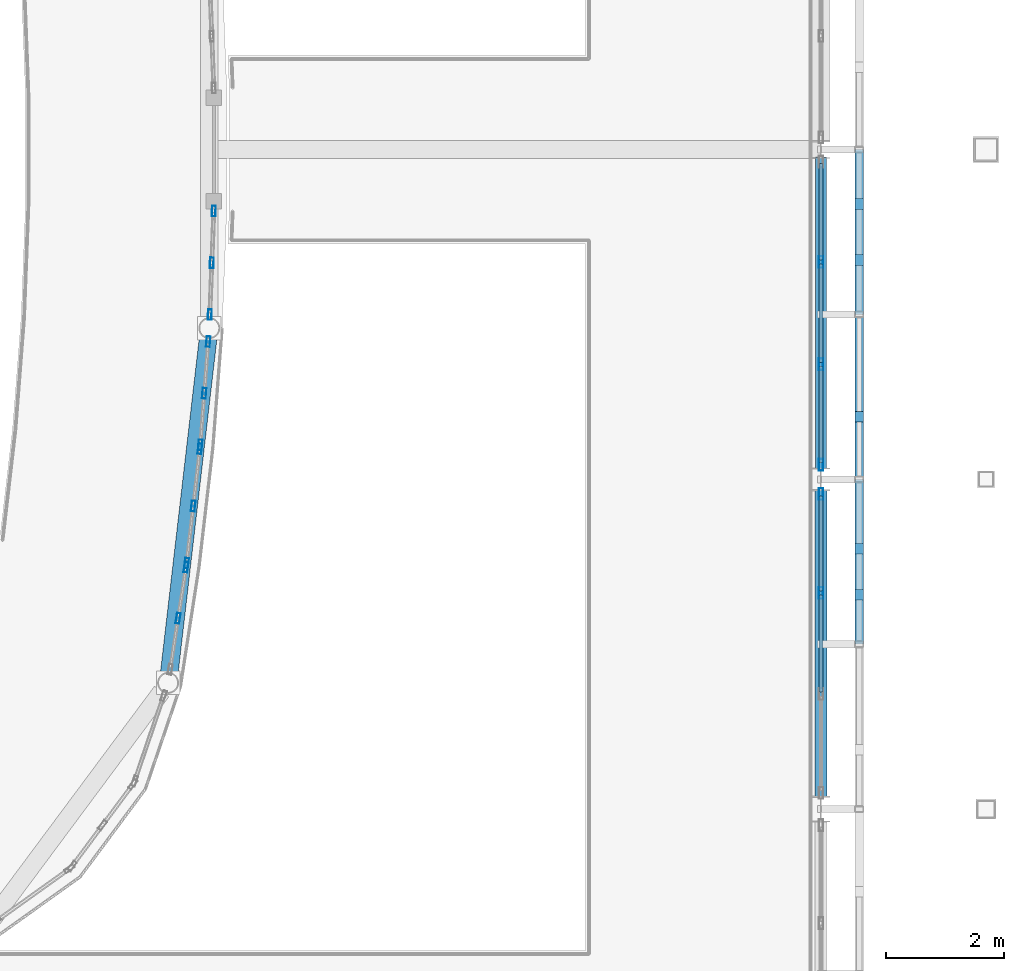
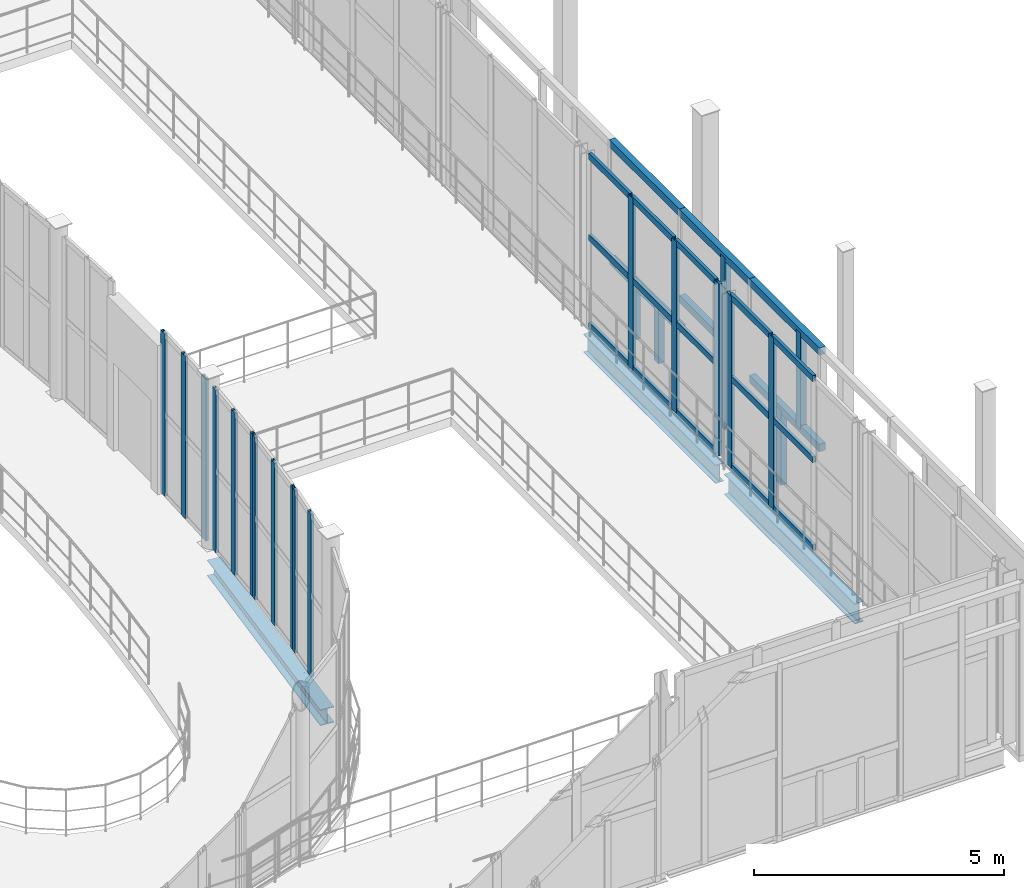
# One storey, part 43 of 138: 42 members, 3 beams, 6 elements without a shape of their own.
"""IFC4 building model written with IfcOpenShell, lengths in metres."""

import ifcopenshell
import ifcopenshell.guid

model = None  # the IFC model being written
_history = None  # IfcOwnerHistory: only IFC2X3 demands one
_inside = {}  # id of a spatial element -> (the spatial element, [elements in it])
_under = {}  # id of a project, library or spatial element -> (it, [spatial elements below it])
_declared = {}  # id of a project -> (the project, [libraries it declares])
_typed = {}  # id of a type object -> (the type object, [elements of that type])
_made_of = {}  # id of a material, layer set ... -> (it, [elements and type objects made of it])


def new_model(schema):
    """Start an empty IFC model of exactly this schema.

    Asked for "IFC4X3", IfcOpenShell would pick the latest addendum, in which some entities
    have other attributes; the version numbers below select the first issue.
    IFC2X3 requires an IfcOwnerHistory on every rooted entity: one is made here for all.
    """
    global model, _history
    if schema == "IFC4X3":
        model = ifcopenshell.file(schema_version=(4, 3, 0, 0))
    else:
        model = ifcopenshell.file(schema=schema)
    _inside.clear()
    _under.clear()
    _declared.clear()
    _typed.clear()
    _made_of.clear()
    _history = None
    if model.schema == "IFC2X3":
        org = make("IfcOrganization", Name="unknown")
        user = make(
            "IfcPersonAndOrganization",
            ThePerson=make("IfcPerson", FamilyName="unknown"),
            TheOrganization=org,
        )
        app = make(
            "IfcApplication",
            ApplicationDeveloper=org,
            Version="unknown",
            ApplicationFullName="unknown",
            ApplicationIdentifier="unknown",
        )
        _history = make(
            "IfcOwnerHistory",
            OwningUser=user,
            OwningApplication=app,
            ChangeAction="ADDED",
            CreationDate=0,
        )
    return model


def make(cls, **values):
    """One entity of the class cls with the attributes given. An attribute that is None is left unset."""
    return model.create_entity(
        cls, **{name: value for name, value in values.items() if value is not None}
    )


def rooted(cls, **values):
    """An entity with a GlobalId (a new one), such as an element, a storey or a relation."""
    return make(cls, GlobalId=ifcopenshell.guid.new(), OwnerHistory=_history, **values)


def si_unit(unit_type, name, prefix=None):
    """IfcSIUnit, for example si_unit("LENGTHUNIT", "METRE", prefix="MILLI")."""
    return make("IfcSIUnit", UnitType=unit_type, Prefix=prefix, Name=name)


def assignment(units):
    """IfcUnitAssignment: the units of a project."""
    return None if units is None else make("IfcUnitAssignment", Units=units)


def point(xyz):
    """IfcCartesianPoint."""
    return None if xyz is None else make("IfcCartesianPoint", Coordinates=xyz)


def direction(xyz):
    """IfcDirection."""
    return None if xyz is None else make("IfcDirection", DirectionRatios=xyz)


def frame(location, z_axis=None, x_axis=None):
    """IfcAxis2Placement3D, a coordinate frame: its origin and axes. An axis left out is left unset."""
    return make(
        "IfcAxis2Placement3D",
        Location=point(location),
        Axis=direction(z_axis),
        RefDirection=direction(x_axis),
    )


def frame_2d(location, x_axis=None):
    """IfcAxis2Placement2D, a coordinate frame in the plane: its origin and x axis."""
    return make(
        "IfcAxis2Placement2D", Location=point(location), RefDirection=direction(x_axis)
    )


def origin():
    """The frame at (0, 0, 0) with its axes left unset."""
    return frame((0.0, 0.0, 0.0))


def origin_2d():
    """The frame at (0, 0) in the plane with its x axis left unset."""
    return frame_2d((0.0, 0.0))


def place(relative_to, where):
    """IfcLocalPlacement: puts the frame where relative to a parent placement (None: the world)."""
    return make(
        "IfcLocalPlacement", PlacementRelTo=relative_to, RelativePlacement=where
    )


def context(
    kind, dimensions, precision=None, world=None, true_north=None, identifier=None
):
    """IfcGeometricRepresentationContext, for example the 3D "Model" context."""
    return make(
        "IfcGeometricRepresentationContext",
        ContextIdentifier=identifier,
        ContextType=kind,
        CoordinateSpaceDimension=dimensions,
        Precision=precision,
        WorldCoordinateSystem=world,
        TrueNorth=true_north,
    )


def subcontext(parent, identifier, kind, view, scale=None):
    """IfcGeometricRepresentationSubContext, for example "Body" below "Model"."""
    return make(
        "IfcGeometricRepresentationSubContext",
        ContextIdentifier=identifier,
        ContextType=kind,
        ParentContext=parent,
        TargetScale=scale,
        TargetView=view,
    )


def project(units=None, contexts=None):
    """IfcProject with its units and contexts."""
    return rooted(
        "IfcProject",
        Name="project",
        RepresentationContexts=contexts,
        UnitsInContext=assignment(units),
    )


def spatial(cls, under=None, at=None, **own):
    """A site, building, storey or space (cls), placed at a placement, below another one or the project."""
    s = rooted(cls, ObjectPlacement=at, **own)
    if under is not None:
        _under.setdefault(under.id(), (under, []))[1].append(s)
    return s


def profile(cls, at=None, kind="AREA", **sizes):
    """A parametric profile (cls). Its sizes go by their IFC names, for example OverallWidth=200.0."""
    return make(cls, ProfileType=kind, Position=at, **sizes)


def rectangle(**sizes):
    """IfcRectangleProfileDef."""
    return profile("IfcRectangleProfileDef", **sizes)


def hollow_rectangle(**sizes):
    """IfcRectangleHollowProfileDef."""
    return profile("IfcRectangleHollowProfileDef", **sizes)


def i_section(**sizes):
    """IfcIShapeProfileDef."""
    return profile("IfcIShapeProfileDef", **sizes)


def extrude(swept, where, along, depth):
    """IfcExtrudedAreaSolid: the profile swept, set in the frame where, extruded along a direction by depth."""
    return make(
        "IfcExtrudedAreaSolid",
        SweptArea=swept,
        Position=where,
        ExtrudedDirection=direction(along),
        Depth=depth,
    )


def shape(context_of_items, identifier, shape_type, items):
    """IfcShapeRepresentation: the items that make up one representation, for example the "Body"."""
    return make(
        "IfcShapeRepresentation",
        ContextOfItems=context_of_items,
        RepresentationIdentifier=identifier,
        RepresentationType=shape_type,
        Items=items,
    )


def material(Name=None, Category=None):
    """IfcMaterial."""
    return make("IfcMaterial", Name=Name, Category=Category)


def layer(
    of_material, thickness, ventilated=None, Name=None, Category=None, Priority=None
):
    """IfcMaterialLayer: one layer of a wall or slab, of a material (None: an air gap)."""
    return make(
        "IfcMaterialLayer",
        Material=of_material,
        LayerThickness=thickness,
        IsVentilated=ventilated,
        Name=Name,
        Category=Category,
        Priority=Priority,
    )


def layer_set(layers, Name=None):
    """IfcMaterialLayerSet."""
    return make("IfcMaterialLayerSet", MaterialLayers=layers, LayerSetName=Name)


def material_profile(
    of_material, cross_section, Name=None, Category=None, Priority=None
):
    """IfcMaterialProfile: a cross section and its material."""
    return make(
        "IfcMaterialProfile",
        Name=Name,
        Material=of_material,
        Profile=cross_section,
        Priority=Priority,
        Category=Category,
    )


def profile_set(profiles, Name=None, composite=None):
    """IfcMaterialProfileSet."""
    return make(
        "IfcMaterialProfileSet",
        Name=Name,
        MaterialProfiles=profiles,
        CompositeProfile=composite,
    )


def made_of(thing, what):
    """Note that an element or type object is made of a material, layer set ...; save() writes the relation."""
    if what is not None:
        _made_of.setdefault(what.id(), (what, []))[1].append(thing)
    return thing


def type_object(cls, material=None, **own):
    """A type object (cls), such as IfcWallType, which elements share."""
    return made_of(rooted(cls, **own), material)


def element(
    cls,
    number,
    at=None,
    inside=None,
    cuts=None,
    type_object=None,
    material=None,
    context=None,
    identifier="Body",
    shape_type=None,
    held_by="IfcProductDefinitionShape",
    body=None,
    shapes=None,
    **own,
):
    """One element of the class cls, such as IfcWall. Its Tag is "e" and its number.

    at: its placement. inside: the storey or other place that contains it. cuts: it is an
    opening in that element (IfcRelVoidsElement). A single representation is given by context,
    identifier, shape_type and body (its items); several are given by shapes. held_by: the class
    of the entity that holds the representations. save() writes the other relations.
    """
    e = rooted(cls, Tag="e%d" % number, ObjectPlacement=at, **own)
    if body is not None:
        shapes = [shape(context, identifier, shape_type, body)]
    if shapes is not None:
        e.Representation = make(held_by, Representations=shapes)
    if inside is not None:
        _inside.setdefault(inside.id(), (inside, []))[1].append(e)
    if cuts is not None:
        rooted(
            "IfcRelVoidsElement", RelatingBuildingElement=cuts, RelatedOpeningElement=e
        )
    if type_object is not None:
        _typed.setdefault(type_object.id(), (type_object, []))[1].append(e)
    return made_of(e, material)


def aggregate(whole, parts):
    """IfcRelAggregates: a whole, such as a stair, and the parts it consists of."""
    return rooted("IfcRelAggregates", RelatingObject=whole, RelatedObjects=parts)


def save(model, path):
    """Write the relations noted so far, then the file.

    IfcRelAggregates (storeys below a building ...), IfcRelContainedInSpatialStructure (elements
    in a storey), IfcRelDefinesByType, IfcRelAssociatesMaterial and IfcRelDeclares: one each for
    every whole, place, type object, material and project.
    """
    for whole, parts in _under.values():
        aggregate(whole, parts)
    for where, things in _inside.values():
        rooted(
            "IfcRelContainedInSpatialStructure",
            RelatedElements=things,
            RelatingStructure=where,
        )
    for kind, things in _typed.values():
        rooted("IfcRelDefinesByType", RelatedObjects=things, RelatingType=kind)
    for what, things in _made_of.values():
        rooted("IfcRelAssociatesMaterial", RelatedObjects=things, RelatingMaterial=what)
    for by, libraries in _declared.values():
        rooted("IfcRelDeclares", RelatingContext=by, RelatedDefinitions=libraries)
    model.write(path)


model = new_model("IFC4")

# Units and contexts
model_context = context("Model", 3, precision=1e-05, world=origin(), true_north=direction((0.0, 1.0)))
body_context = subcontext(model_context, "Body", "Model", "MODEL_VIEW")
ifc_project = project(units=[si_unit("LENGTHUNIT", "METRE"), si_unit("AREAUNIT", "SQUARE_METRE"), si_unit("VOLUMEUNIT", "CUBIC_METRE"), si_unit("PLANEANGLEUNIT", "RADIAN"), si_unit("MASSUNIT", "GRAM", prefix="KILO")], contexts=[model_context])

# Site, building, storey
site_placement = place(None, origin())
site = spatial("IfcSite", under=ifc_project, at=site_placement, CompositionType="ELEMENT")
building_placement = place(site_placement, origin())
building = spatial("IfcBuilding", under=site, at=building_placement, Name="Vinh Khe Railworks Police Headquarters", CompositionType="ELEMENT")
storey_placement = place(building_placement, frame((0.0, 0.0, 9.0)))
storey = spatial("IfcBuildingStorey", under=building, at=storey_placement, Name="L02", CompositionType="ELEMENT", Elevation=9.0)

# Members
ifc_material_1 = material(Name="Salvaged ironwood timber", Category="wood")
ifc_material_profile_1 = material_profile(ifc_material_1, rectangle(XDim=0.139892578125, YDim=0.179931640625, at=origin_2d()), Name="TIMBER 140x180")
ifc_profile_set_1 = profile_set([ifc_material_profile_1], Name="Salvaged ironwood timber")
member_type_1 = type_object("IfcMemberType", Name="MEM-QUILT-STILE", PredefinedType="CHORD", material=ifc_profile_set_1)
for number, where, z_axis, x_axis, name in (
    (1, (60.64990234375, 33.60009765625, 4.1201171875), (0.0, 1.0, 0.0), (-1.0, 0.0, 0.0), "Salvaged Timber Quilt Transom E-L02-03-TOP"),
    (2, (60.64990234375, 33.60009765625, 1.763916015625), (0.0, 1.0, 0.0), (-1.0, 0.0, 0.0), "Salvaged Timber Quilt Transom E-L02-03-M1"),
):
    element("IfcMember", number, at=place(storey_placement, frame(where, z_axis=z_axis, x_axis=x_axis)), inside=storey, type_object=member_type_1, Name=name, PredefinedType="CHORD", context=body_context, shape_type="SweptSolid", body=[
        extrude(rectangle(XDim=0.139892578125, YDim=0.179931640625, at=origin_2d()), origin(), (0.0, 0.0, 1.0), 2.7998046875),
    ])
member_1_placement = place(storey_placement, frame((60.64990234375, 35.22412109375, -0.080078125), z_axis=(0.0, 0.0, 1.0), x_axis=(1.0, 0.0, 0.0)))
element("IfcMember", 3, at=member_1_placement, inside=storey, type_object=member_type_1, Name="Salvaged Timber Quilt Stile E-L02-03-V1", PredefinedType="POST", context=body_context, shape_type="SweptSolid", body=[
    extrude(rectangle(XDim=0.139892578125, YDim=0.179931640625, at=origin_2d()), origin(), (0.0, 0.0, 1.0), 1.843994140625),
])
member_2_placement = place(storey_placement, frame((60.64990234375, 34.43994140625, 1.763916015625), z_axis=(0.0, 0.0, 1.0), x_axis=(1.0, 0.0, 0.0)))
element("IfcMember", 4, at=member_2_placement, inside=storey, type_object=member_type_1, Name="Salvaged Timber Quilt Stile E-L02-03-V2", PredefinedType="POST", context=body_context, shape_type="SweptSolid", body=[
    extrude(rectangle(XDim=0.139892578125, YDim=0.179931640625, at=origin_2d()), origin(), (0.0, 0.0, 1.0), 2.356201171875),
])
member_3_placement = place(storey_placement, frame((60.64990234375, 36.39990234375, 4.1201171875), z_axis=(0.0, 1.0, 0.0), x_axis=(-1.0, 0.0, 0.0)))
element("IfcMember", 5, at=member_3_placement, inside=storey, type_object=member_type_1, Name="Salvaged Timber Quilt Transom E-L02-04-TOP", PredefinedType="CHORD", context=body_context, shape_type="SweptSolid", body=[
    extrude(rectangle(XDim=0.139892578125, YDim=0.179931640625, at=origin_2d()), origin(), (0.0, 0.0, 1.0), 2.800048828125),
])
member_4_placement = place(storey_placement, frame((60.64990234375, 37.464111328125, -0.080078125), z_axis=(0.0, 0.0, 1.0), x_axis=(1.0, 0.0, 0.0)))
element("IfcMember", 6, at=member_4_placement, inside=storey, type_object=member_type_1, Name="Salvaged Timber Quilt Stile E-L02-04-V1", PredefinedType="POST", context=body_context, shape_type="SweptSolid", body=[
    extrude(rectangle(XDim=0.139892578125, YDim=0.179931640625, at=origin_2d()), origin(), (0.0, 0.0, 1.0), 4.2001953125),
])
member_5_placement = place(storey_placement, frame((60.64990234375, 37.464111328125, 2.01611328125), z_axis=(0.0, 1.0, 0.0), x_axis=(-1.0, 0.0, 0.0)))
element("IfcMember", 7, at=member_5_placement, inside=storey, type_object=member_type_1, Name="Salvaged Timber Quilt Transom E-L02-04-M1", PredefinedType="CHORD", context=body_context, shape_type="SweptSolid", body=[
    extrude(rectangle(XDim=0.139892578125, YDim=0.179931640625, at=origin_2d()), origin(), (0.0, 0.0, 1.0), 1.73583984375),
])
for number, where, z_axis, x_axis, name in (
    (8, (60.64990234375, 39.199951171875, 4.1201171875), (0.0, 1.0, 0.0), (-1.0, 0.0, 0.0), "Salvaged Timber Quilt Transom E-L02-05-TOP"),
    (9, (60.64990234375, 39.199951171875, 1.260009765625), (0.0, 1.0, 0.0), (-1.0, 0.0, 0.0), "Salvaged Timber Quilt Transom E-L02-05-M1"),
):
    element("IfcMember", number, at=place(storey_placement, frame(where, z_axis=z_axis, x_axis=x_axis)), inside=storey, type_object=member_type_1, Name=name, PredefinedType="CHORD", context=body_context, shape_type="SweptSolid", body=[
        extrude(rectangle(XDim=0.139892578125, YDim=0.179931640625, at=origin_2d()), origin(), (0.0, 0.0, 1.0), 2.800048828125),
    ])
for number, where, z_axis, x_axis, name in (
    (10, (60.64990234375, 40.1240234375, -0.080078125), (0.0, 0.0, 1.0), (1.0, 0.0, 0.0), "Salvaged Timber Quilt Stile E-L02-05-V1"),
    (11, (60.64990234375, 41.075927734375, -0.080078125), (0.0, 0.0, 1.0), (1.0, 0.0, 0.0), "Salvaged Timber Quilt Stile E-L02-05-V2"),
):
    element("IfcMember", number, at=place(storey_placement, frame(where, z_axis=z_axis, x_axis=x_axis)), inside=storey, type_object=member_type_1, Name=name, PredefinedType="POST", context=body_context, shape_type="SweptSolid", body=[
        extrude(rectangle(XDim=0.139892578125, YDim=0.179931640625, at=origin_2d()), origin(), (0.0, 0.0, 1.0), 1.340087890625),
    ])

# Curtain wall, members
ifc_material_2 = material(Name="Anodised aluminium and acoustic laminated glass", Category="aluminium")
ifc_layer_1 = layer(ifc_material_2, 0.159912109375)
ifc_layer_set_1 = layer_set([ifc_layer_1], Name="Anodised aluminium and acoustic laminated glass")
curtain_wall_type_1 = type_object("IfcCurtainWallType", Name="CW-DRUM-CHORD", PredefinedType="USERDEFINED", material=ifc_layer_set_1)
curtain_wall_1_placement = place(storey_placement, origin())
curtain_wall_1 = element("IfcCurtainWall", 12, at=curtain_wall_1_placement, inside=storey, type_object=curtain_wall_type_1, Name="Elliptical Command Drum Glazing L02 Chord 1", ObjectType="DRUM FACADE GLAZING", PredefinedType="USERDEFINED")
ifc_material_3 = material(Name="Anodised aluminium 6063-T6", Category="aluminium")
ifc_material_profile_2 = material_profile(ifc_material_3, hollow_rectangle(XDim=0.06494140625, YDim=0.179931640625, WallThickness=0.0048828125, at=origin_2d()), Name="CW-M 65x180x5")
ifc_profile_set_2 = profile_set([ifc_material_profile_2], Name="Anodised aluminium 6063-T6")
member_type_2 = type_object("IfcMemberType", Name="MULL-CWM-02", PredefinedType="MULLION", material=ifc_profile_set_2)
member_6_placement = place(storey_placement, frame((49.08349609375, 34.041015625, 0.0), z_axis=(0.0, 0.0, 1.0), x_axis=(-0.988150166575, 0.153490222159, 0.0)))
member_6 = element("IfcMember", 13, at=member_6_placement, type_object=member_type_2, Name="CW-02 mullion 2", PredefinedType="MULLION", context=body_context, shape_type="SweptSolid", body=[
    extrude(hollow_rectangle(XDim=0.06494140625, YDim=0.179931640625, WallThickness=0.0048828125, at=origin_2d()), origin(), (0.0, 0.0, 1.0), 3.969970703125),
])
member_7_placement = place(storey_placement, frame((49.218505859375, 34.910400390625, 0.0), z_axis=(0.0, 0.0, 1.0), x_axis=(-0.988150166575, 0.153490222159, 0.0)))
member_7 = element("IfcMember", 14, at=member_7_placement, type_object=member_type_2, Name="CW-02 mullion 3", PredefinedType="MULLION", context=body_context, shape_type="SweptSolid", body=[
    extrude(hollow_rectangle(XDim=0.06494140625, YDim=0.179931640625, WallThickness=0.0048828125, at=origin_2d()), origin(), (0.0, 0.0, 1.0), 3.969970703125),
])
aggregate(curtain_wall_1, [member_6, member_7])

curtain_wall_2_placement = place(storey_placement, origin())
curtain_wall_2 = element("IfcCurtainWall", 15, at=curtain_wall_2_placement, inside=storey, type_object=curtain_wall_type_1, Name="Elliptical Command Drum Glazing L02 Chord 2", ObjectType="DRUM FACADE GLAZING", PredefinedType="USERDEFINED")
member_8_placement = place(storey_placement, frame((49.227294921875, 34.974853515625, 0.0), z_axis=(0.0, 0.0, 1.0), x_axis=(-0.993328656296, 0.115317737498, 0.0)))
member_8 = element("IfcMember", 16, at=member_8_placement, type_object=member_type_2, Name="CW-02 mullion 1", PredefinedType="MULLION", context=body_context, shape_type="SweptSolid", body=[
    extrude(hollow_rectangle(XDim=0.06494140625, YDim=0.179931640625, WallThickness=0.0048828125, at=origin_2d()), origin(), (0.0, 0.0, 1.0), 3.969970703125),
])
member_9_placement = place(storey_placement, frame((49.340087890625, 35.947021484375, 0.0), z_axis=(0.0, 0.0, 1.0), x_axis=(-0.993328656296, 0.115317737498, 0.0)))
member_9 = element("IfcMember", 17, at=member_9_placement, type_object=member_type_2, Name="CW-02 mullion 2", PredefinedType="MULLION", context=body_context, shape_type="SweptSolid", body=[
    extrude(hollow_rectangle(XDim=0.06494140625, YDim=0.179931640625, WallThickness=0.0048828125, at=origin_2d()), origin(), (0.0, 0.0, 1.0), 3.969970703125),
])
member_10_placement = place(storey_placement, frame((49.452880859375, 36.919189453125, 0.0), z_axis=(0.0, 0.0, 1.0), x_axis=(-0.993328656296, 0.115317737498, 0.0)))
member_10 = element("IfcMember", 18, at=member_10_placement, type_object=member_type_2, Name="CW-02 mullion 3", PredefinedType="MULLION", context=body_context, shape_type="SweptSolid", body=[
    extrude(hollow_rectangle(XDim=0.06494140625, YDim=0.179931640625, WallThickness=0.0048828125, at=origin_2d()), origin(), (0.0, 0.0, 1.0), 3.969970703125),
])
aggregate(curtain_wall_2, [member_8, member_9, member_10])

curtain_wall_3_placement = place(storey_placement, origin())
curtain_wall_3 = element("IfcCurtainWall", 19, at=curtain_wall_3_placement, inside=storey, type_object=curtain_wall_type_1, Name="Elliptical Command Drum Glazing L02 Chord 3", ObjectType="DRUM FACADE GLAZING", PredefinedType="USERDEFINED")
member_11_placement = place(storey_placement, frame((49.459228515625, 36.98388671875, 0.0), z_axis=(0.0, 0.0, 1.0), x_axis=(-0.997033493224, 0.076968911839, 0.0)))
member_11 = element("IfcMember", 20, at=member_11_placement, type_object=member_type_2, Name="CW-02 mullion 1", PredefinedType="MULLION", context=body_context, shape_type="SweptSolid", body=[
    extrude(hollow_rectangle(XDim=0.06494140625, YDim=0.179931640625, WallThickness=0.0048828125, at=origin_2d()), origin(), (0.0, 0.0, 1.0), 3.969970703125),
])
member_12_placement = place(storey_placement, frame((49.52685546875, 37.861083984375, 0.0), z_axis=(0.0, 0.0, 1.0), x_axis=(-0.997033493224, 0.076968911839, 0.0)))
member_12 = element("IfcMember", 21, at=member_12_placement, type_object=member_type_2, Name="CW-02 mullion 2", PredefinedType="MULLION", context=body_context, shape_type="SweptSolid", body=[
    extrude(hollow_rectangle(XDim=0.06494140625, YDim=0.179931640625, WallThickness=0.0048828125, at=origin_2d()), origin(), (0.0, 0.0, 1.0), 3.969970703125),
])
member_13_placement = place(storey_placement, frame((49.5947265625, 38.73828125, 0.0), z_axis=(0.0, 0.0, 1.0), x_axis=(-0.997033493224, 0.076968911839, 0.0)))
member_13 = element("IfcMember", 22, at=member_13_placement, type_object=member_type_2, Name="CW-02 mullion 3", PredefinedType="MULLION", context=body_context, shape_type="SweptSolid", body=[
    extrude(hollow_rectangle(XDim=0.06494140625, YDim=0.179931640625, WallThickness=0.0048828125, at=origin_2d()), origin(), (0.0, 0.0, 1.0), 3.969970703125),
])
aggregate(curtain_wall_3, [member_11, member_12, member_13])

curtain_wall_4_placement = place(storey_placement, origin())
curtain_wall_4 = element("IfcCurtainWall", 23, at=curtain_wall_4_placement, inside=storey, type_object=curtain_wall_type_1, Name="Elliptical Command Drum Glazing L02 Chord 4", ObjectType="DRUM FACADE GLAZING", PredefinedType="USERDEFINED")
member_14_placement = place(storey_placement, frame((49.621337890625, 39.197998046875, 0.0), z_axis=(0.0, 0.0, 1.0), x_axis=(-0.999258111354, 0.038512684833, 0.0)))
member_14 = element("IfcMember", 24, at=member_14_placement, type_object=member_type_2, Name="CW-02 mullion 1", PredefinedType="MULLION", context=body_context, shape_type="SweptSolid", body=[
    extrude(hollow_rectangle(XDim=0.06494140625, YDim=0.179931640625, WallThickness=0.0048828125, at=origin_2d()), origin(), (0.0, 0.0, 1.0), 3.969970703125),
])
member_15_placement = place(storey_placement, frame((49.655029296875, 40.0771484375, 0.0), z_axis=(0.0, 0.0, 1.0), x_axis=(-0.999258111354, 0.038512684833, 0.0)))
member_15 = element("IfcMember", 25, at=member_15_placement, type_object=member_type_2, Name="CW-02 mullion 2", PredefinedType="MULLION", context=body_context, shape_type="SweptSolid", body=[
    extrude(hollow_rectangle(XDim=0.06494140625, YDim=0.179931640625, WallThickness=0.0048828125, at=origin_2d()), origin(), (0.0, 0.0, 1.0), 3.969970703125),
])
member_16_placement = place(storey_placement, frame((49.68896484375, 40.956298828125, 0.0), z_axis=(0.0, 0.0, 1.0), x_axis=(-0.999258111354, 0.038512684833, 0.0)))
member_16 = element("IfcMember", 26, at=member_16_placement, type_object=member_type_2, Name="CW-02 mullion 3", PredefinedType="MULLION", context=body_context, shape_type="SweptSolid", body=[
    extrude(hollow_rectangle(XDim=0.06494140625, YDim=0.179931640625, WallThickness=0.0048828125, at=origin_2d()), origin(), (0.0, 0.0, 1.0), 3.969970703125),
])
aggregate(curtain_wall_4, [member_14, member_15, member_16])

ifc_material_4 = material(Name="Anodised aluminium and low-iron glass", Category="aluminium")
ifc_layer_2 = layer(ifc_material_4, 0.179931640625)
ifc_layer_set_2 = layer_set([ifc_layer_2], Name="Anodised aluminium and low-iron glass")
curtain_wall_type_2 = type_object("IfcCurtainWallType", Name="CW-CUBE-UNIT", PredefinedType="USERDEFINED", material=ifc_layer_set_2)
curtain_wall_5_placement = place(storey_placement, origin())
curtain_wall_5 = element("IfcCurtainWall", 27, at=curtain_wall_5_placement, inside=storey, type_object=curtain_wall_type_2, Name="Entrance Hall Curtain Wall L02 E-2", ObjectType="UNITISED GLAZING", PredefinedType="USERDEFINED")
ifc_material_profile_3 = material_profile(ifc_material_3, hollow_rectangle(XDim=0.070068359375, YDim=0.199951171875, WallThickness=0.0048828125, at=origin_2d()), Name="CW-M 70x200x5")
ifc_profile_set_3 = profile_set([ifc_material_profile_3], Name="Anodised aluminium 6063-T6")
member_type_3 = type_object("IfcMemberType", Name="MULL-CWM-03", PredefinedType="MULLION", material=ifc_profile_set_3)
member_17_placement = place(storey_placement, frame((60.0, 34.469970703125, 0.0), z_axis=(0.0, 0.0, 1.0), x_axis=(-1.0, 0.0, 0.0)))
member_17 = element("IfcMember", 28, at=member_17_placement, type_object=member_type_3, Name="CW-01 mullion 3", PredefinedType="MULLION", context=body_context, shape_type="SweptSolid", body=[
    extrude(hollow_rectangle(XDim=0.070068359375, YDim=0.199951171875, WallThickness=0.0048828125, at=origin_2d()), origin(), (0.0, 0.0, 1.0), 4.199951171875),
])
member_18_placement = place(storey_placement, frame((60.0, 36.14990234375, 0.0), z_axis=(0.0, 0.0, 1.0), x_axis=(-1.0, 0.0, 0.0)))
member_18 = element("IfcMember", 29, at=member_18_placement, type_object=member_type_3, Name="CW-01 mullion 4", PredefinedType="MULLION", context=body_context, shape_type="SweptSolid", body=[
    extrude(hollow_rectangle(XDim=0.070068359375, YDim=0.199951171875, WallThickness=0.0048828125, at=origin_2d()), origin(), (0.0, 0.0, 1.0), 4.199951171875),
])

curtain_wall_6_placement = place(storey_placement, origin())
curtain_wall_6 = element("IfcCurtainWall", 30, at=curtain_wall_6_placement, inside=storey, type_object=curtain_wall_type_2, Name="Entrance Hall Curtain Wall L02 E-3", ObjectType="UNITISED GLAZING", PredefinedType="USERDEFINED")
member_19_placement = place(storey_placement, frame((60.0, 36.64990234375, 0.0), z_axis=(0.0, 0.0, 1.0), x_axis=(-1.0, 0.0, 0.0)))
member_19 = element("IfcMember", 31, at=member_19_placement, type_object=member_type_3, Name="CW-01 mullion 1", PredefinedType="MULLION", context=body_context, shape_type="SweptSolid", body=[
    extrude(hollow_rectangle(XDim=0.070068359375, YDim=0.199951171875, WallThickness=0.0048828125, at=origin_2d()), origin(), (0.0, 0.0, 1.0), 4.199951171875),
])
member_20_placement = place(storey_placement, frame((60.0, 38.353271484375, 0.0), z_axis=(0.0, 0.0, 1.0), x_axis=(-1.0, 0.0, 0.0)))
member_20 = element("IfcMember", 32, at=member_20_placement, type_object=member_type_3, Name="CW-01 mullion 2", PredefinedType="MULLION", context=body_context, shape_type="SweptSolid", body=[
    extrude(hollow_rectangle(XDim=0.070068359375, YDim=0.199951171875, WallThickness=0.0048828125, at=origin_2d()), origin(), (0.0, 0.0, 1.0), 4.199951171875),
])
member_21_placement = place(storey_placement, frame((60.0, 40.091552734375, 0.0), z_axis=(0.0, 0.0, 1.0), x_axis=(-1.0, 0.0, 0.0)))
member_21 = element("IfcMember", 33, at=member_21_placement, type_object=member_type_3, Name="CW-01 mullion 3", PredefinedType="MULLION", context=body_context, shape_type="SweptSolid", body=[
    extrude(hollow_rectangle(XDim=0.070068359375, YDim=0.199951171875, WallThickness=0.0048828125, at=origin_2d()), origin(), (0.0, 0.0, 1.0), 4.199951171875),
])

# Beams
ifc_material_5 = material(Name="Steel S355JR", Category="steel")
ifc_material_profile_4 = material_profile(ifc_material_5, i_section(OverallWidth=0.300048828125, OverallDepth=0.389892578125, WebThickness=0.010986328125, FlangeThickness=0.01904296875, FilletRadius=0.027099609375, at=origin_2d()), Name="HEA 400")
ifc_profile_set_4 = profile_set([ifc_material_profile_4], Name="Steel S355JR")
beam_type_1 = type_object("IfcBeamType", Name="Steel Girder HEA 400", PredefinedType="BEAM", material=ifc_profile_set_4)
beam_1_placement = place(storey_placement, frame((48.93408203125, 33.126220703125, -0.4150390625), z_axis=(0.115349444921, 0.993324974798, 0.0), x_axis=(-0.993324974798, 0.115349444921, 0.0)))
element("IfcBeam", 34, at=beam_1_placement, inside=storey, type_object=beam_type_1, Name="Drum Ring Girder BM-L02-DRUM-SB-14-1023", PredefinedType="BEAM", context=body_context, shape_type="SweptSolid", body=[
    extrude(i_section(OverallWidth=0.300048828125, OverallDepth=0.389892578125, WebThickness=0.010986328125, FlangeThickness=0.01904296875, FilletRadius=0.027099609375, at=origin_2d()), origin(), (0.0, 0.0, 1.0), 5.69775390625),
])
ifc_material_profile_5 = material_profile(ifc_material_5, i_section(OverallWidth=0.18994140625, OverallDepth=0.449951171875, WebThickness=0.009521484375, FlangeThickness=0.0146484375, FilletRadius=0.02099609375, at=origin_2d()), Name="IPE 450")
ifc_profile_set_5 = profile_set([ifc_material_profile_5], Name="Steel S355JR")
beam_type_2 = type_object("IfcBeamType", Name="Steel Girder IPE 450", PredefinedType="BEAM", material=ifc_profile_set_5)
beam_2_placement = place(storey_placement, frame((60.0, 36.574951171875, -0.445068359375), z_axis=(0.0, 1.0, 0.0), x_axis=(-1.0, 0.0, 0.0)))
element("IfcBeam", 35, at=beam_2_placement, inside=storey, type_object=beam_type_2, Name="Girder BM-L02-NS-SB-20-0966", PredefinedType="BEAM", context=body_context, shape_type="SweptSolid", body=[
    extrude(i_section(OverallWidth=0.18994140625, OverallDepth=0.449951171875, WebThickness=0.009521484375, FlangeThickness=0.0146484375, FilletRadius=0.02099609375, at=origin_2d()), origin(), (0.0, 0.0, 1.0), 5.295166015625),
])
ifc_material_profile_6 = material_profile(ifc_material_5, i_section(OverallWidth=0.199951171875, OverallDepth=0.5, WebThickness=0.01025390625, FlangeThickness=0.01611328125, FilletRadius=0.02099609375, at=origin_2d()), Name="IPE 500")
ifc_profile_set_6 = profile_set([ifc_material_profile_6], Name="Steel S355JR")
beam_type_3 = type_object("IfcBeamType", Name="Steel Girder IPE 500", PredefinedType="BEAM", material=ifc_profile_set_6)
beam_3_placement = place(storey_placement, frame((60.0, 31.0, -0.469970703125), z_axis=(0.0, 1.0, 0.0), x_axis=(-1.0, 0.0, 0.0)))
element("IfcBeam", 36, at=beam_3_placement, inside=storey, type_object=beam_type_3, Name="Girder BM-L02-NS-SB-19-0965", PredefinedType="BEAM", context=body_context, shape_type="SweptSolid", body=[
    extrude(i_section(OverallWidth=0.199951171875, OverallDepth=0.5, WebThickness=0.01025390625, FlangeThickness=0.01611328125, FilletRadius=0.02099609375, at=origin_2d()), origin(), (0.0, 0.0, 1.0), 5.22509765625),
])

# Member
ifc_material_profile_7 = material_profile(ifc_material_3, hollow_rectangle(XDim=0.070068359375, YDim=0.14990234375, WallThickness=0.0048828125, at=origin_2d()), Name="CW-T 70x150x5")
ifc_profile_set_7 = profile_set([ifc_material_profile_7], Name="Anodised aluminium 6063-T6")
member_type_4 = type_object("IfcMemberType", Name="TRAN-CWT-03", PredefinedType="USERDEFINED", material=ifc_profile_set_7)
member_22_placement = place(storey_placement, frame((60.0, 32.7900390625, 0.034912109375), z_axis=(0.0, 1.0, 0.0), x_axis=(-1.0, 0.0, 0.0)))
member_22 = element("IfcMember", 37, at=member_22_placement, type_object=member_type_4, Name="CW-01 transom 2.1", ObjectType="TRANSOM", PredefinedType="USERDEFINED", context=body_context, shape_type="SweptSolid", body=[
    extrude(hollow_rectangle(XDim=0.070068359375, YDim=0.14990234375, WallThickness=0.0048828125, at=origin_2d()), origin(), (0.0, 0.0, 1.0), 1.64501953125),
])

member_23_placement = place(storey_placement, frame((60.0, 32.7900390625, 2.18408203125), z_axis=(0.0, 1.0, 0.0), x_axis=(-1.0, 0.0, 0.0)))
member_23 = element("IfcMember", 38, at=member_23_placement, type_object=member_type_4, Name="CW-01 transom 2.2", ObjectType="TRANSOM", PredefinedType="USERDEFINED", context=body_context, shape_type="SweptSolid", body=[
    extrude(hollow_rectangle(XDim=0.070068359375, YDim=0.14990234375, WallThickness=0.0048828125, at=origin_2d()), origin(), (0.0, 0.0, 1.0), 1.64501953125),
])

member_24_placement = place(storey_placement, frame((60.0, 32.7900390625, 4.1650390625), z_axis=(0.0, 1.0, 0.0), x_axis=(-1.0, 0.0, 0.0)))
member_24 = element("IfcMember", 39, at=member_24_placement, type_object=member_type_4, Name="CW-01 transom 2.3", ObjectType="TRANSOM", PredefinedType="USERDEFINED", context=body_context, shape_type="SweptSolid", body=[
    extrude(hollow_rectangle(XDim=0.070068359375, YDim=0.14990234375, WallThickness=0.0048828125, at=origin_2d()), origin(), (0.0, 0.0, 1.0), 1.64501953125),
])

member_25_placement = place(storey_placement, frame((60.0, 34.5048828125, 0.034912109375), z_axis=(0.0, 1.0, 0.0), x_axis=(-1.0, 0.0, 0.0)))
member_25 = element("IfcMember", 40, at=member_25_placement, type_object=member_type_4, Name="CW-01 transom 3.1", ObjectType="TRANSOM", PredefinedType="USERDEFINED", context=body_context, shape_type="SweptSolid", body=[
    extrude(hollow_rectangle(XDim=0.070068359375, YDim=0.14990234375, WallThickness=0.0048828125, at=origin_2d()), origin(), (0.0, 0.0, 1.0), 1.610107421875),
])

member_26_placement = place(storey_placement, frame((60.0, 34.5048828125, 2.18408203125), z_axis=(0.0, 1.0, 0.0), x_axis=(-1.0, 0.0, 0.0)))
member_26 = element("IfcMember", 41, at=member_26_placement, type_object=member_type_4, Name="CW-01 transom 3.2", ObjectType="TRANSOM", PredefinedType="USERDEFINED", context=body_context, shape_type="SweptSolid", body=[
    extrude(hollow_rectangle(XDim=0.070068359375, YDim=0.14990234375, WallThickness=0.0048828125, at=origin_2d()), origin(), (0.0, 0.0, 1.0), 1.610107421875),
])

member_27_placement = place(storey_placement, frame((60.0, 34.5048828125, 4.1650390625), z_axis=(0.0, 1.0, 0.0), x_axis=(-1.0, 0.0, 0.0)))
member_27 = element("IfcMember", 42, at=member_27_placement, type_object=member_type_4, Name="CW-01 transom 3.3", ObjectType="TRANSOM", PredefinedType="USERDEFINED", context=body_context, shape_type="SweptSolid", body=[
    extrude(hollow_rectangle(XDim=0.070068359375, YDim=0.14990234375, WallThickness=0.0048828125, at=origin_2d()), origin(), (0.0, 0.0, 1.0), 1.610107421875),
])

aggregate(curtain_wall_5, [member_17, member_18, member_22, member_23, member_24, member_25, member_26, member_27])

member_28_placement = place(storey_placement, frame((60.0, 36.68505859375, 0.034912109375), z_axis=(0.0, 1.0, 0.0), x_axis=(-1.0, 0.0, 0.0)))
member_28 = element("IfcMember", 43, at=member_28_placement, type_object=member_type_4, Name="CW-01 transom 1.1", ObjectType="TRANSOM", PredefinedType="USERDEFINED", context=body_context, shape_type="SweptSolid", body=[
    extrude(hollow_rectangle(XDim=0.070068359375, YDim=0.14990234375, WallThickness=0.0048828125, at=origin_2d()), origin(), (0.0, 0.0, 1.0), 1.63330078125),
])

member_29_placement = place(storey_placement, frame((60.0, 36.68505859375, 2.18408203125), z_axis=(0.0, 1.0, 0.0), x_axis=(-1.0, 0.0, 0.0)))
member_29 = element("IfcMember", 44, at=member_29_placement, type_object=member_type_4, Name="CW-01 transom 1.2", ObjectType="TRANSOM", PredefinedType="USERDEFINED", context=body_context, shape_type="SweptSolid", body=[
    extrude(hollow_rectangle(XDim=0.070068359375, YDim=0.14990234375, WallThickness=0.0048828125, at=origin_2d()), origin(), (0.0, 0.0, 1.0), 1.63330078125),
])

member_30_placement = place(storey_placement, frame((60.0, 36.68505859375, 4.1650390625), z_axis=(0.0, 1.0, 0.0), x_axis=(-1.0, 0.0, 0.0)))
member_30 = element("IfcMember", 45, at=member_30_placement, type_object=member_type_4, Name="CW-01 transom 1.3", ObjectType="TRANSOM", PredefinedType="USERDEFINED", context=body_context, shape_type="SweptSolid", body=[
    extrude(hollow_rectangle(XDim=0.070068359375, YDim=0.14990234375, WallThickness=0.0048828125, at=origin_2d()), origin(), (0.0, 0.0, 1.0), 1.63330078125),
])

member_31_placement = place(storey_placement, frame((60.0, 38.388427734375, 0.034912109375), z_axis=(0.0, 1.0, 0.0), x_axis=(-1.0, 0.0, 0.0)))
member_31 = element("IfcMember", 46, at=member_31_placement, type_object=member_type_4, Name="CW-01 transom 2.1", ObjectType="TRANSOM", PredefinedType="USERDEFINED", context=body_context, shape_type="SweptSolid", body=[
    extrude(hollow_rectangle(XDim=0.070068359375, YDim=0.14990234375, WallThickness=0.0048828125, at=origin_2d()), origin(), (0.0, 0.0, 1.0), 1.668212890625),
])

member_32_placement = place(storey_placement, frame((60.0, 38.388427734375, 2.18408203125), z_axis=(0.0, 1.0, 0.0), x_axis=(-1.0, 0.0, 0.0)))
member_32 = element("IfcMember", 47, at=member_32_placement, type_object=member_type_4, Name="CW-01 transom 2.2", ObjectType="TRANSOM", PredefinedType="USERDEFINED", context=body_context, shape_type="SweptSolid", body=[
    extrude(hollow_rectangle(XDim=0.070068359375, YDim=0.14990234375, WallThickness=0.0048828125, at=origin_2d()), origin(), (0.0, 0.0, 1.0), 1.668212890625),
])

member_33_placement = place(storey_placement, frame((60.0, 38.388427734375, 4.1650390625), z_axis=(0.0, 1.0, 0.0), x_axis=(-1.0, 0.0, 0.0)))
member_33 = element("IfcMember", 48, at=member_33_placement, type_object=member_type_4, Name="CW-01 transom 2.3", ObjectType="TRANSOM", PredefinedType="USERDEFINED", context=body_context, shape_type="SweptSolid", body=[
    extrude(hollow_rectangle(XDim=0.070068359375, YDim=0.14990234375, WallThickness=0.0048828125, at=origin_2d()), origin(), (0.0, 0.0, 1.0), 1.668212890625),
])

member_34_placement = place(storey_placement, frame((60.0, 40.126708984375, 0.034912109375), z_axis=(0.0, 1.0, 0.0), x_axis=(-1.0, 0.0, 0.0)))
member_34 = element("IfcMember", 49, at=member_34_placement, type_object=member_type_4, Name="CW-01 transom 3.1", ObjectType="TRANSOM", PredefinedType="USERDEFINED", context=body_context, shape_type="SweptSolid", body=[
    extrude(hollow_rectangle(XDim=0.070068359375, YDim=0.14990234375, WallThickness=0.0048828125, at=origin_2d()), origin(), (0.0, 0.0, 1.0), 1.63330078125),
])

member_35_placement = place(storey_placement, frame((60.0, 40.126708984375, 2.18408203125), z_axis=(0.0, 1.0, 0.0), x_axis=(-1.0, 0.0, 0.0)))
member_35 = element("IfcMember", 50, at=member_35_placement, type_object=member_type_4, Name="CW-01 transom 3.2", ObjectType="TRANSOM", PredefinedType="USERDEFINED", context=body_context, shape_type="SweptSolid", body=[
    extrude(hollow_rectangle(XDim=0.070068359375, YDim=0.14990234375, WallThickness=0.0048828125, at=origin_2d()), origin(), (0.0, 0.0, 1.0), 1.63330078125),
])

member_36_placement = place(storey_placement, frame((60.0, 40.126708984375, 4.1650390625), z_axis=(0.0, 1.0, 0.0), x_axis=(-1.0, 0.0, 0.0)))
member_36 = element("IfcMember", 51, at=member_36_placement, type_object=member_type_4, Name="CW-01 transom 3.3", ObjectType="TRANSOM", PredefinedType="USERDEFINED", context=body_context, shape_type="SweptSolid", body=[
    extrude(hollow_rectangle(XDim=0.070068359375, YDim=0.14990234375, WallThickness=0.0048828125, at=origin_2d()), origin(), (0.0, 0.0, 1.0), 1.63330078125),
])

aggregate(curtain_wall_6, [member_19, member_20, member_21, member_28, member_29, member_30, member_31, member_32, member_33, member_34, member_35, member_36])

save(model, "model.ifc")
